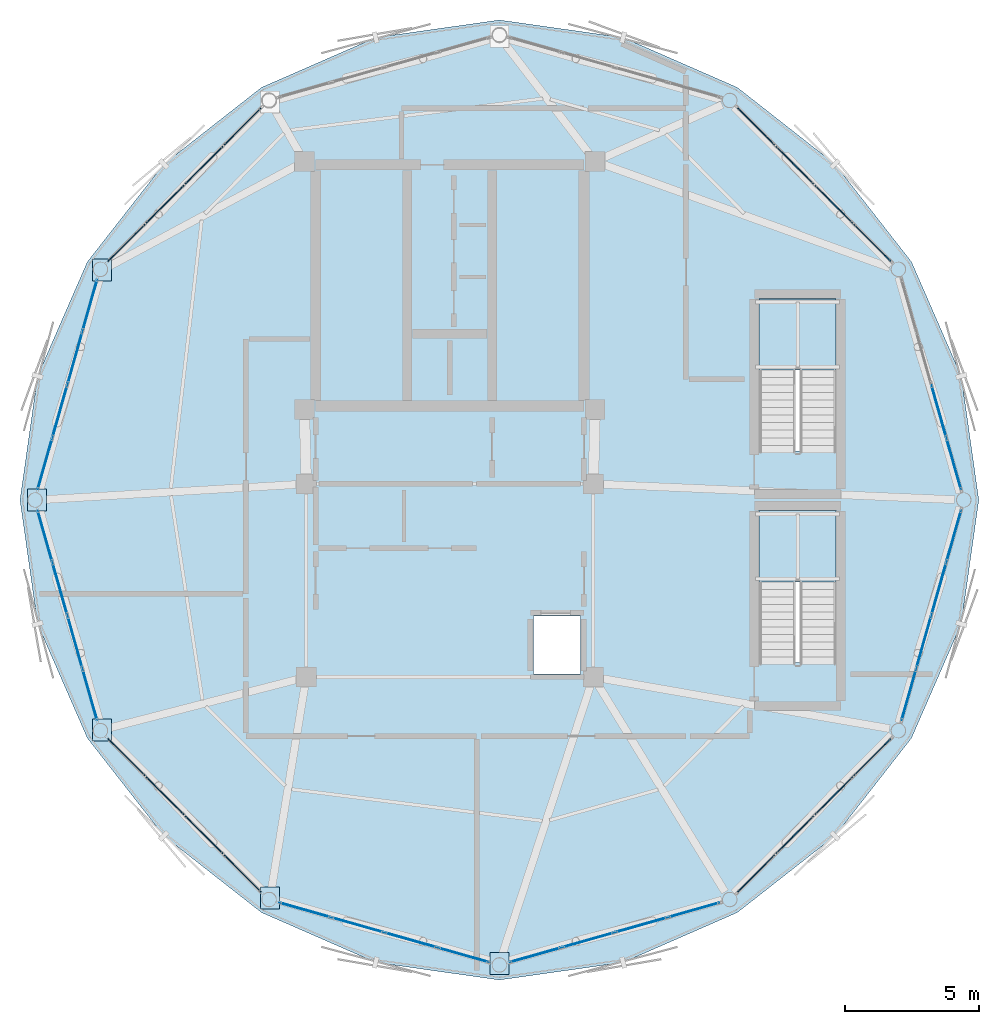
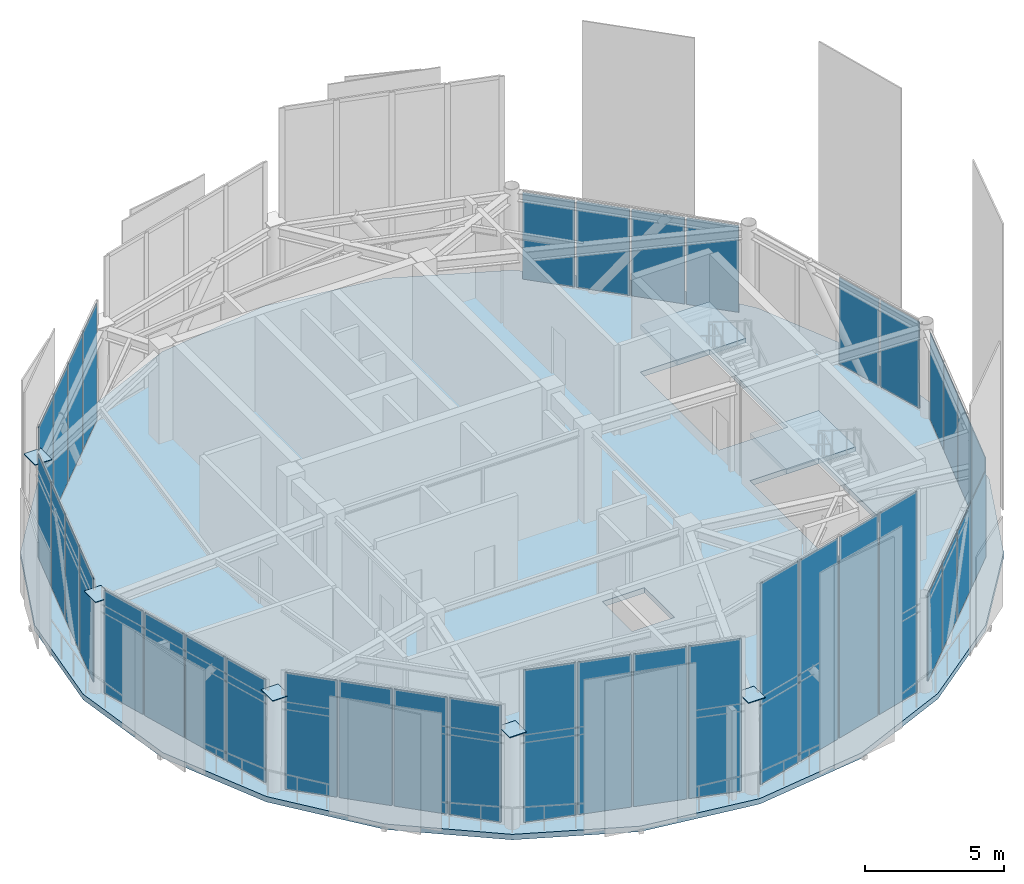
# One storey, part 14 of 20: 43 plates, 3 slabs, 12 elements without a shape of their own.
"""IFC4 building model written with IfcOpenShell, lengths in metres."""

from ifc_helpers import new_model, si_unit, direction, frame, origin, origin_2d, place, context, subcontext, project, spatial, polyline, rectangle, outline, extrude, source, transform, mapped, material, layer, layer_set, type_object, type_shapes, element, aggregate, save


model = new_model("IFC4")

# Units and contexts
model_context = context("Model", 3, precision=1e-05, world=origin(), true_north=direction((0.0, 1.0)))
body_context = subcontext(model_context, "Body", "Model", "MODEL_VIEW")
ifc_project = project(units=[si_unit("LENGTHUNIT", "METRE"), si_unit("AREAUNIT", "SQUARE_METRE"), si_unit("VOLUMEUNIT", "CUBIC_METRE"), si_unit("PLANEANGLEUNIT", "RADIAN"), si_unit("MASSUNIT", "GRAM", prefix="KILO")], contexts=[model_context])

# Site, building, storey
site_placement = place(None, origin())
site = spatial("IfcSite", under=ifc_project, at=site_placement, CompositionType="ELEMENT")
building_placement = place(site_placement, origin())
building = spatial("IfcBuilding", under=site, at=building_placement, Name="Varnakorn Sky Granary", CompositionType="ELEMENT")
storey_placement = place(building_placement, frame((0.0, 0.0, 310.800048828125)))
storey = spatial("IfcBuildingStorey", under=building, at=storey_placement, Name="L79", CompositionType="ELEMENT", Elevation=310.800048828125)

# Plates
ifc_material_1 = material(Name="Steel S460M", Category="steel")
ifc_layer_1 = layer(ifc_material_1, 0.031982421875, Name="Steel S460M")
ifc_layer_set_1 = layer_set([ifc_layer_1], Name="Steel S460M")
plate_type_1 = type_object("IfcPlateType", Name="PL-NODE-KN8", PredefinedType="SHEET", material=ifc_layer_set_1)
for number, where, z_axis, x_axis, name in (
    (1, (-9.9599609375, 8.568115234375, 4.1748046875), (0.0, 0.0, 1.0), (1.0, 0.0, 0.0), "Hollow Column Top Cap Plate KN8 L79-06"),
    (2, (-12.385986328125, 0.0, 4.1748046875), (0.0, 0.0, 1.0), (1.0, 0.0, 0.0), "Hollow Column Top Cap Plate KN8 L79-07"),
    (3, (-9.9599609375, -8.568115234375, 4.1748046875), (0.0, 0.0, 1.0), (1.0, 0.0, 0.0), "Hollow Column Top Cap Plate KN8 L79-08"),
    (4, (-3.700439453125, -14.840087890625, 4.1748046875), (0.0, 0.0, 1.0), (1.0, 0.0, 0.0), "Hollow Column Top Cap Plate KN8 L79-09"),
    (5, (4.85009765625, -17.27099609375, 4.1748046875), (0.0, 0.0, 1.0), (1.0, 0.0, 0.0), "Hollow Column Top Cap Plate KN8 L79-10"),
):
    element("IfcPlate", number, at=place(storey_placement, frame(where, z_axis=z_axis, x_axis=x_axis)), inside=storey, type_object=plate_type_1, Name=name, PredefinedType="SHEET", context=body_context, shape_type="SweptSolid", body=[
        extrude(rectangle(XDim=0.699951171875, YDim=0.820068359375, at=origin_2d()), origin(), (0.0, 0.0, 1.0), 0.031982421875),
    ])

# Stair, slab
ifc_material_2 = material(Name="Concrete C40/50", Category="concrete")
stair_type = type_object("IfcStairType", Name="ST-CRWN-ASSEMBLY", PredefinedType="HALF_TURN_STAIR", material=ifc_material_2)
stair_1_placement = place(storey_placement, origin())
stair_1 = element("IfcStair", 6, at=stair_1_placement, inside=storey, type_object=stair_type, Name="L79 Crown North Exit Stair ST-C1", PredefinedType="HALF_TURN_STAIR")
ifc_layer_2 = layer(ifc_material_2, 0.199951171875, Name="Concrete C40/50")
ifc_layer_set_2 = layer_set([ifc_layer_2], Name="Concrete C40/50")
slab_type_1 = type_object("IfcSlabType", Name="ST-CRWN-LAND", PredefinedType="LANDING", material=ifc_layer_set_2)
slab_1_placement = place(storey_placement, frame((0.0, 0.0, 1.89990234375)))
slab_1 = element("IfcSlab", 7, at=slab_1_placement, type_object=slab_type_1, Name="ST-C1 landing 1", PredefinedType="LANDING", context=body_context, shape_type="SweptSolid", body=[
    extrude(outline(polyline([(17.39990234375, 4.840087890625), (17.39990234375, 7.5), (14.530029296875, 7.5), (14.530029296875, 4.840087890625), (17.39990234375, 4.840087890625)])), origin(), (0.0, 0.0, 1.0), 0.199951171875),
])
aggregate(stair_1, [slab_1])

stair_2_placement = place(storey_placement, origin())
stair_2 = element("IfcStair", 8, at=stair_2_placement, inside=storey, type_object=stair_type, Name="L79 Crown South Exit Stair ST-C2", PredefinedType="HALF_TURN_STAIR")
slab_2_placement = place(storey_placement, frame((0.0, 0.0, 1.89990234375)))
slab_2 = element("IfcSlab", 9, at=slab_2_placement, type_object=slab_type_1, Name="ST-C2 landing 1", PredefinedType="LANDING", context=body_context, shape_type="SweptSolid", body=[
    extrude(outline(polyline([(17.39990234375, -3.06005859375), (17.39990234375, -0.39990234375), (14.530029296875, -0.39990234375), (14.530029296875, -3.06005859375), (17.39990234375, -3.06005859375)])), origin(), (0.0, 0.0, 1.0), 0.199951171875),
])
aggregate(stair_2, [slab_2])

# Slab
ifc_material_3 = material(Name="Concrete C50/60", Category="concrete")
ifc_layer_3 = layer(ifc_material_3, 0.239990234375, Name="Concrete C50/60")
ifc_layer_set_3 = layer_set([ifc_layer_3], Name="Concrete C50/60")
slab_type_2 = type_object("IfcSlabType", Name="ST-SL-TWR-240", PredefinedType="FLOOR", material=ifc_layer_set_3)
slab_3_placement = place(storey_placement, frame((0.0, 0.0, -0.239990234375)))
element("IfcSlab", 10, at=slab_3_placement, inside=storey, type_object=slab_type_2, Name="Level L79 Structural Floor Slab", PredefinedType="FLOOR", context=body_context, shape_type="SweptSolid", body=[
    extrude(outline(polyline([(22.720947265625, 0.0), (22.068603515625, 4.619384765625), (20.209716796875, 8.87890625), (17.359375, 12.52490234375), (13.718017578125, 15.37890625), (9.463623046875, 17.23974609375), (4.85009765625, 17.89306640625), (0.236328125, 17.23974609375), (-4.01806640625, 15.37890625), (-7.659423828125, 12.52490234375), (-10.509765625, 8.87890625), (-12.36865234375, 4.619384765625), (-13.02099609375, 0.0), (-12.36865234375, -4.619384765625), (-10.509765625, -8.87890625), (-7.659423828125, -12.52490234375), (-4.01806640625, -15.37890625), (0.236328125, -17.23974609375), (4.85009765625, -17.89306640625), (9.463623046875, -17.23974609375), (13.718017578125, -15.37890625), (17.359375, -12.52490234375), (20.209716796875, -8.87890625), (22.068603515625, -4.619384765625), (22.720947265625, 0.0)]), holes=[polyline([(17.39990234375, 1.8349609375), (17.39990234375, 7.5), (14.530029296875, 7.5), (14.530029296875, 1.8349609375), (17.39990234375, 1.8349609375)]), polyline([(17.39990234375, -6.06494140625), (17.39990234375, -0.39990234375), (14.530029296875, -0.39990234375), (14.530029296875, -6.06494140625), (17.39990234375, -6.06494140625)]), polyline([(6.1201171875, -6.47998046875), (7.8798828125, -6.47998046875), (7.8798828125, -4.320068359375), (6.1201171875, -4.320068359375), (6.1201171875, -6.47998046875)])]), origin(), (0.0, 0.0, 1.0), 0.239990234375),
])

# Curtain wall, plate
ifc_material_4 = material(Name="Anodised Bronze Aluminium Alloy 6063-T6", Category="aluminium")
ifc_layer_4 = layer(ifc_material_4, 0.22998046875, Name="Anodised Bronze Aluminium Alloy 6063-T6")
ifc_layer_set_4 = layer_set([ifc_layer_4], Name="Anodised Bronze Aluminium Alloy 6063-T6")
curtain_wall_type = type_object("IfcCurtainWallType", Name="CW-LNT-1", PredefinedType="USERDEFINED", material=ifc_layer_set_4)
curtain_wall_1_placement = place(storey_placement, origin())
curtain_wall_1 = element("IfcCurtainWall", 11, at=curtain_wall_1_placement, inside=storey, type_object=curtain_wall_type, Name="Unitised Curtain Wall CW7 CW-L79-B01", ObjectType="CURTAIN WALL", PredefinedType="USERDEFINED")
ifc_material_5 = material(Name="Opaque Insulated Aluminium Shadow-Box Unit", Category="aluminium")
ifc_layer_5 = layer(ifc_material_5, 0.035888671875, Name="Opaque Insulated Aluminium Shadow-Box Unit")
ifc_layer_set_5 = layer_set([ifc_layer_5], Name="Opaque Insulated Aluminium Shadow-Box Unit")
plate_type_2 = type_object("IfcPlateType", Name="CW-LNT-1-PNL", PredefinedType="CURTAIN_PANEL")
shared_shape_1 = source(origin(), body_context, "Body", "SweptSolid", [
    extrude(rectangle(XDim=1.990966796875, YDim=0.035888671875, at=origin_2d()), origin(), (0.0, 0.0, 1.0), 3.81005859375),
])
plate_1_placement = place(storey_placement, frame((21.23388671875, 3.30810546875, 0.074951171875), z_axis=(0.0, 0.0, 1.0), x_axis=(0.272577181537, -0.962133920047, 0.0)))
plate_1 = element("IfcPlate", 12, at=plate_1_placement, type_object=plate_type_2, material=ifc_layer_set_5, Name="CW7 opaque insulated shadow-box unit 3.1", PredefinedType="CURTAIN_PANEL", context=body_context, shape_type="MappedRepresentation", body=[
    mapped(shared_shape_1, transform((0.0, 0.0, 0.0), x_axis=(1.0, 0.0, 0.0), y_axis=(0.0, 1.0, 0.0), z_axis=(0.0, 0.0, 1.0), scale=1.0)),
])

# Curtain wall, plates
curtain_wall_2_placement = place(storey_placement, origin())
curtain_wall_2 = element("IfcCurtainWall", 13, at=curtain_wall_2_placement, inside=storey, type_object=curtain_wall_type, Name="Unitised Curtain Wall CW7 CW-L79-B12", ObjectType="CURTAIN WALL", PredefinedType="USERDEFINED")
plate_2_placement = place(storey_placement, frame((21.23388671875, -3.30810546875, 0.074951171875), z_axis=(0.0, 0.0, 1.0), x_axis=(-0.272577181537, -0.962133920047, 0.0)))
plate_2 = element("IfcPlate", 14, at=plate_2_placement, type_object=plate_type_2, material=ifc_layer_set_5, Name="CW7 opaque insulated shadow-box unit 2.1", PredefinedType="CURTAIN_PANEL", context=body_context, shape_type="MappedRepresentation", body=[
    mapped(shared_shape_1, transform((0.0, 0.0, 0.0), x_axis=(1.0, 0.0, 0.0), y_axis=(0.0, 1.0, 0.0), z_axis=(0.0, 0.0, 1.0), scale=1.0)),
])
plate_3_placement = place(storey_placement, frame((20.670654296875, -5.2958984375, 0.074951171875), z_axis=(0.0, 0.0, 1.0), x_axis=(-0.272577181537, -0.962133920047, 0.0)))
plate_3 = element("IfcPlate", 15, at=plate_3_placement, type_object=plate_type_2, material=ifc_layer_set_5, Name="CW7 opaque insulated shadow-box unit 3.1", PredefinedType="CURTAIN_PANEL", context=body_context, shape_type="MappedRepresentation", body=[
    mapped(shared_shape_1, transform((0.0, 0.0, 0.0), x_axis=(1.0, 0.0, 0.0), y_axis=(0.0, 1.0, 0.0), z_axis=(0.0, 0.0, 1.0), scale=1.0)),
])

# Plate
ifc_material_6 = material(Name="Low-E Tinted Laminated Glass", Category="glass")
ifc_layer_6 = layer(ifc_material_6, 0.035888671875, Name="Low-E Tinted Laminated Glass")
ifc_layer_set_6 = layer_set([ifc_layer_6], Name="Low-E Tinted Laminated Glass")
shared_shape_2 = source(origin(), body_context, "Body", "SweptSolid", [
    extrude(rectangle(XDim=1.953369140625, YDim=0.035888671875, at=origin_2d()), origin(), (0.0, 0.0, 1.0), 3.81005859375),
])
plate_4_placement = place(storey_placement, frame((21.791748046875, 1.33837890625, 0.074951171875), z_axis=(0.0, 0.0, 1.0), x_axis=(0.272577181537, -0.962133920047, 0.0)))
plate_4 = element("IfcPlate", 16, at=plate_4_placement, type_object=plate_type_2, material=ifc_layer_set_6, Name="CW7 vision glazing unit 4.1", PredefinedType="CURTAIN_PANEL", context=body_context, shape_type="MappedRepresentation", body=[
    mapped(shared_shape_2, transform((0.0, 0.0, 0.0), x_axis=(1.0, 0.0, 0.0), y_axis=(0.0, 1.0, 0.0), z_axis=(0.0, 0.0, 1.0), scale=1.0)),
])

aggregate(curtain_wall_1, [plate_1, plate_4])

plate_5_placement = place(storey_placement, frame((21.791748046875, -1.33837890625, 0.074951171875), z_axis=(0.0, 0.0, 1.0), x_axis=(-0.272577181537, -0.962133920047, 0.0)))
plate_5 = element("IfcPlate", 17, at=plate_5_placement, type_object=plate_type_2, material=ifc_layer_set_6, Name="CW7 vision glazing unit 1.1", PredefinedType="CURTAIN_PANEL", context=body_context, shape_type="MappedRepresentation", body=[
    mapped(shared_shape_2, transform((0.0, 0.0, 0.0), x_axis=(1.0, 0.0, 0.0), y_axis=(0.0, 1.0, 0.0), z_axis=(0.0, 0.0, 1.0), scale=1.0)),
])

plate_6_placement = place(storey_placement, frame((20.11279296875, -7.265625, 0.074951171875), z_axis=(0.0, 0.0, 1.0), x_axis=(-0.272577181537, -0.962133920047, 0.0)))
plate_6 = element("IfcPlate", 18, at=plate_6_placement, type_object=plate_type_2, material=ifc_layer_set_6, Name="CW7 vision glazing unit 4.1", PredefinedType="CURTAIN_PANEL", context=body_context, shape_type="MappedRepresentation", body=[
    mapped(shared_shape_2, transform((0.0, 0.0, 0.0), x_axis=(1.0, 0.0, 0.0), y_axis=(0.0, 1.0, 0.0), z_axis=(0.0, 0.0, 1.0), scale=1.0)),
])

aggregate(curtain_wall_2, [plate_5, plate_2, plate_3, plate_6])

# Curtain wall, plates
curtain_wall_3_placement = place(storey_placement, origin())
curtain_wall_3 = element("IfcCurtainWall", 19, at=curtain_wall_3_placement, inside=storey, type_object=curtain_wall_type, Name="Unitised Curtain Wall CW7 CW-L79-B02", ObjectType="CURTAIN WALL", PredefinedType="USERDEFINED")
shared_shape_3 = source(origin(), body_context, "Body", "SweptSolid", [
    extrude(rectangle(XDim=1.943115234375, YDim=0.035888671875, at=origin_2d()), origin(), (0.0, 0.0, 1.0), 3.81005859375),
])
plate_7_placement = place(storey_placement, frame((14.422607421875, 13.921875, 0.074951171875), z_axis=(0.0, 0.0, 1.0), x_axis=(0.706650589291, -0.707562678959, 0.0)))
plate_7 = element("IfcPlate", 20, at=plate_7_placement, type_object=plate_type_2, material=ifc_layer_set_6, Name="CW7 vision glazing unit 1.1", PredefinedType="CURTAIN_PANEL", context=body_context, shape_type="MappedRepresentation", body=[
    mapped(shared_shape_3, transform((0.0, 0.0, 0.0), x_axis=(1.0, 0.0, 0.0), y_axis=(0.0, 1.0, 0.0), z_axis=(0.0, 0.0, 1.0), scale=1.0)),
])
plate_8_placement = place(storey_placement, frame((18.75390625, 9.584716796875, 0.074951171875), z_axis=(0.0, 0.0, 1.0), x_axis=(0.706650589291, -0.707562678959, 0.0)))
plate_8 = element("IfcPlate", 21, at=plate_8_placement, type_object=plate_type_2, material=ifc_layer_set_6, Name="CW7 vision glazing unit 4.1", PredefinedType="CURTAIN_PANEL", context=body_context, shape_type="MappedRepresentation", body=[
    mapped(shared_shape_3, transform((0.0, 0.0, 0.0), x_axis=(1.0, 0.0, 0.0), y_axis=(0.0, 1.0, 0.0), z_axis=(0.0, 0.0, 1.0), scale=1.0)),
])

curtain_wall_4_placement = place(storey_placement, origin())
curtain_wall_4 = element("IfcCurtainWall", 22, at=curtain_wall_4_placement, inside=storey, type_object=curtain_wall_type, Name="Unitised Curtain Wall CW7 CW-L79-B11", ObjectType="CURTAIN WALL", PredefinedType="USERDEFINED")
plate_9_placement = place(storey_placement, frame((18.75390625, -9.584716796875, 0.074951171875), z_axis=(0.0, 0.0, 1.0), x_axis=(-0.706650589291, -0.707562678959, 0.0)))
plate_9 = element("IfcPlate", 23, at=plate_9_placement, type_object=plate_type_2, material=ifc_layer_set_6, Name="CW7 vision glazing unit 1.1", PredefinedType="CURTAIN_PANEL", context=body_context, shape_type="MappedRepresentation", body=[
    mapped(shared_shape_3, transform((0.0, 0.0, 0.0), x_axis=(1.0, 0.0, 0.0), y_axis=(0.0, 1.0, 0.0), z_axis=(0.0, 0.0, 1.0), scale=1.0)),
])
plate_10_placement = place(storey_placement, frame((14.422607421875, -13.921875, 0.074951171875), z_axis=(0.0, 0.0, 1.0), x_axis=(-0.706650589291, -0.707562678959, 0.0)))
plate_10 = element("IfcPlate", 24, at=plate_10_placement, type_object=plate_type_2, material=ifc_layer_set_6, Name="CW7 vision glazing unit 4.1", PredefinedType="CURTAIN_PANEL", context=body_context, shape_type="MappedRepresentation", body=[
    mapped(shared_shape_3, transform((0.0, 0.0, 0.0), x_axis=(1.0, 0.0, 0.0), y_axis=(0.0, 1.0, 0.0), z_axis=(0.0, 0.0, 1.0), scale=1.0)),
])

# Plate
shared_shape_4 = source(origin(), body_context, "Body", "SweptSolid", [
    extrude(rectangle(XDim=1.980712890625, YDim=0.035888671875, at=origin_2d()), origin(), (0.0, 0.0, 1.0), 3.81005859375),
])
plate_11_placement = place(storey_placement, frame((15.86181640625, 12.48046875, 0.074951171875), z_axis=(0.0, 0.0, 1.0), x_axis=(0.706650589291, -0.707562678959, 0.0)))
plate_11 = element("IfcPlate", 25, at=plate_11_placement, type_object=plate_type_2, material=ifc_layer_set_5, Name="CW7 opaque insulated shadow-box unit 2.1", PredefinedType="CURTAIN_PANEL", context=body_context, shape_type="MappedRepresentation", body=[
    mapped(shared_shape_4, transform((0.0, 0.0, 0.0), x_axis=(1.0, 0.0, 0.0), y_axis=(0.0, 1.0, 0.0), z_axis=(0.0, 0.0, 1.0), scale=1.0)),
])

plate_12_placement = place(storey_placement, frame((17.314697265625, 11.026123046875, 0.074951171875), z_axis=(0.0, 0.0, 1.0), x_axis=(0.706650589291, -0.707562678959, 0.0)))
plate_12 = element("IfcPlate", 26, at=plate_12_placement, type_object=plate_type_2, material=ifc_layer_set_5, Name="CW7 opaque insulated shadow-box unit 3.1", PredefinedType="CURTAIN_PANEL", context=body_context, shape_type="MappedRepresentation", body=[
    mapped(shared_shape_4, transform((0.0, 0.0, 0.0), x_axis=(1.0, 0.0, 0.0), y_axis=(0.0, 1.0, 0.0), z_axis=(0.0, 0.0, 1.0), scale=1.0)),
])

aggregate(curtain_wall_3, [plate_7, plate_11, plate_12, plate_8])

plate_13_placement = place(storey_placement, frame((17.314697265625, -11.026123046875, 0.074951171875), z_axis=(0.0, 0.0, 1.0), x_axis=(-0.706650589291, -0.707562678959, 0.0)))
plate_13 = element("IfcPlate", 27, at=plate_13_placement, type_object=plate_type_2, material=ifc_layer_set_5, Name="CW7 opaque insulated shadow-box unit 2.1", PredefinedType="CURTAIN_PANEL", context=body_context, shape_type="MappedRepresentation", body=[
    mapped(shared_shape_4, transform((0.0, 0.0, 0.0), x_axis=(1.0, 0.0, 0.0), y_axis=(0.0, 1.0, 0.0), z_axis=(0.0, 0.0, 1.0), scale=1.0)),
])

plate_14_placement = place(storey_placement, frame((15.86181640625, -12.48046875, 0.074951171875), z_axis=(0.0, 0.0, 1.0), x_axis=(-0.706650589291, -0.707562678959, 0.0)))
plate_14 = element("IfcPlate", 28, at=plate_14_placement, type_object=plate_type_2, material=ifc_layer_set_5, Name="CW7 opaque insulated shadow-box unit 3.1", PredefinedType="CURTAIN_PANEL", context=body_context, shape_type="MappedRepresentation", body=[
    mapped(shared_shape_4, transform((0.0, 0.0, 0.0), x_axis=(1.0, 0.0, 0.0), y_axis=(0.0, 1.0, 0.0), z_axis=(0.0, 0.0, 1.0), scale=1.0)),
])

aggregate(curtain_wall_4, [plate_9, plate_13, plate_14, plate_10])

# Curtain wall, plates
curtain_wall_5_placement = place(storey_placement, origin())
curtain_wall_5 = element("IfcCurtainWall", 29, at=curtain_wall_5_placement, inside=storey, type_object=curtain_wall_type, Name="Unitised Curtain Wall CW7 CW-L79-B10", ObjectType="CURTAIN WALL", PredefinedType="USERDEFINED")
shared_shape_5 = source(origin(), body_context, "Body", "SweptSolid", [
    extrude(rectangle(XDim=1.950927734375, YDim=0.035888671875, at=origin_2d()), origin(), (0.0, 0.0, 1.0), 8.85693359375),
])
plate_15_placement = place(storey_placement, frame((12.10595703125, -15.2822265625, 0.074951171875), z_axis=(0.0, 0.0, 1.0), x_axis=(-0.961955260491, -0.273207021896, 0.0)))
plate_15 = element("IfcPlate", 30, at=plate_15_placement, type_object=plate_type_2, material=ifc_layer_set_6, Name="CW7 vision glazing unit 1.1", PredefinedType="CURTAIN_PANEL", context=body_context, shape_type="MappedRepresentation", body=[
    mapped(shared_shape_5, transform((0.0, 0.0, 0.0), x_axis=(1.0, 0.0, 0.0), y_axis=(0.0, 1.0, 0.0), z_axis=(0.0, 0.0, 1.0), scale=1.0)),
])
plate_16_placement = place(storey_placement, frame((6.18701171875, -16.96337890625, 0.074951171875), z_axis=(0.0, 0.0, 1.0), x_axis=(-0.961955260491, -0.273207021896, 0.0)))
plate_16 = element("IfcPlate", 31, at=plate_16_placement, type_object=plate_type_2, material=ifc_layer_set_5, Name="CW7 opaque insulated shadow-box unit 4.1", PredefinedType="CURTAIN_PANEL", context=body_context, shape_type="MappedRepresentation", body=[
    mapped(shared_shape_5, transform((0.0, 0.0, 0.0), x_axis=(1.0, 0.0, 0.0), y_axis=(0.0, 1.0, 0.0), z_axis=(0.0, 0.0, 1.0), scale=1.0)),
])
shared_shape_6 = source(origin(), body_context, "Body", "SweptSolid", [
    extrude(rectangle(XDim=1.988525390625, YDim=0.035888671875, at=origin_2d()), origin(), (0.0, 0.0, 1.0), 8.85693359375),
])
plate_17_placement = place(storey_placement, frame((10.138916015625, -15.8408203125, 0.074951171875), z_axis=(0.0, 0.0, 1.0), x_axis=(-0.961955260491, -0.273207021896, 0.0)))
plate_17 = element("IfcPlate", 32, at=plate_17_placement, type_object=plate_type_2, material=ifc_layer_set_5, Name="CW7 opaque insulated shadow-box unit 2.1", PredefinedType="CURTAIN_PANEL", context=body_context, shape_type="MappedRepresentation", body=[
    mapped(shared_shape_6, transform((0.0, 0.0, 0.0), x_axis=(1.0, 0.0, 0.0), y_axis=(0.0, 1.0, 0.0), z_axis=(0.0, 0.0, 1.0), scale=1.0)),
])
plate_18_placement = place(storey_placement, frame((8.154052734375, -16.40478515625, 0.074951171875), z_axis=(0.0, 0.0, 1.0), x_axis=(-0.961955260491, -0.273207021896, 0.0)))
plate_18 = element("IfcPlate", 33, at=plate_18_placement, type_object=plate_type_2, material=ifc_layer_set_5, Name="CW7 opaque insulated shadow-box unit 3.1", PredefinedType="CURTAIN_PANEL", context=body_context, shape_type="MappedRepresentation", body=[
    mapped(shared_shape_6, transform((0.0, 0.0, 0.0), x_axis=(1.0, 0.0, 0.0), y_axis=(0.0, 1.0, 0.0), z_axis=(0.0, 0.0, 1.0), scale=1.0)),
])
aggregate(curtain_wall_5, [plate_15, plate_17, plate_18, plate_16])

curtain_wall_6_placement = place(storey_placement, origin())
curtain_wall_6 = element("IfcCurtainWall", 34, at=curtain_wall_6_placement, inside=storey, type_object=curtain_wall_type, Name="Unitised Curtain Wall CW7 CW-L79-B09", ObjectType="CURTAIN WALL", PredefinedType="USERDEFINED")
shared_shape_7 = source(origin(), body_context, "Body", "SweptSolid", [
    extrude(rectangle(XDim=1.950927734375, YDim=0.035888671875, at=origin_2d()), origin(), (0.0, 0.0, 1.0), 6.71435546875),
])
plate_19_placement = place(storey_placement, frame((3.512939453125, -16.96337890625, 0.074951171875), z_axis=(0.0, 0.0, 1.0), x_axis=(-0.961955260491, 0.273207021896, 0.0)))
plate_19 = element("IfcPlate", 35, at=plate_19_placement, type_object=plate_type_2, material=ifc_layer_set_5, Name="CW7 opaque insulated shadow-box unit 1.1", PredefinedType="CURTAIN_PANEL", context=body_context, shape_type="MappedRepresentation", body=[
    mapped(shared_shape_7, transform((0.0, 0.0, 0.0), x_axis=(1.0, 0.0, 0.0), y_axis=(0.0, 1.0, 0.0), z_axis=(0.0, 0.0, 1.0), scale=1.0)),
])
plate_20_placement = place(storey_placement, frame((-2.406005859375, -15.2822265625, 0.074951171875), z_axis=(0.0, 0.0, 1.0), x_axis=(-0.961955260491, 0.273207021896, 0.0)))
plate_20 = element("IfcPlate", 36, at=plate_20_placement, type_object=plate_type_2, material=ifc_layer_set_6, Name="CW7 vision glazing unit 4.1", PredefinedType="CURTAIN_PANEL", context=body_context, shape_type="MappedRepresentation", body=[
    mapped(shared_shape_7, transform((0.0, 0.0, 0.0), x_axis=(1.0, 0.0, 0.0), y_axis=(0.0, 1.0, 0.0), z_axis=(0.0, 0.0, 1.0), scale=1.0)),
])
shared_shape_8 = source(origin(), body_context, "Body", "SweptSolid", [
    extrude(rectangle(XDim=1.988525390625, YDim=0.035888671875, at=origin_2d()), origin(), (0.0, 0.0, 1.0), 6.71435546875),
])
plate_21_placement = place(storey_placement, frame((1.5458984375, -16.40478515625, 0.074951171875), z_axis=(0.0, 0.0, 1.0), x_axis=(-0.961955260491, 0.273207021896, 0.0)))
plate_21 = element("IfcPlate", 37, at=plate_21_placement, type_object=plate_type_2, material=ifc_layer_set_5, Name="CW7 opaque insulated shadow-box unit 2.1", PredefinedType="CURTAIN_PANEL", context=body_context, shape_type="MappedRepresentation", body=[
    mapped(shared_shape_8, transform((0.0, 0.0, 0.0), x_axis=(1.0, 0.0, 0.0), y_axis=(0.0, 1.0, 0.0), z_axis=(0.0, 0.0, 1.0), scale=1.0)),
])
plate_22_placement = place(storey_placement, frame((-0.43896484375, -15.8408203125, 0.074951171875), z_axis=(0.0, 0.0, 1.0), x_axis=(-0.961955260491, 0.273207021896, 0.0)))
plate_22 = element("IfcPlate", 38, at=plate_22_placement, type_object=plate_type_2, material=ifc_layer_set_5, Name="CW7 opaque insulated shadow-box unit 3.1", PredefinedType="CURTAIN_PANEL", context=body_context, shape_type="MappedRepresentation", body=[
    mapped(shared_shape_8, transform((0.0, 0.0, 0.0), x_axis=(1.0, 0.0, 0.0), y_axis=(0.0, 1.0, 0.0), z_axis=(0.0, 0.0, 1.0), scale=1.0)),
])
aggregate(curtain_wall_6, [plate_19, plate_21, plate_22, plate_20])

curtain_wall_7_placement = place(storey_placement, origin())
curtain_wall_7 = element("IfcCurtainWall", 39, at=curtain_wall_7_placement, inside=storey, type_object=curtain_wall_type, Name="Unitised Curtain Wall CW7 CW-L79-B05", ObjectType="CURTAIN WALL", PredefinedType="USERDEFINED")
shared_shape_9 = source(origin(), body_context, "Body", "SweptSolid", [
    extrude(rectangle(XDim=1.943115234375, YDim=0.035888671875, at=origin_2d()), origin(), (0.0, 0.0, 1.0), 5.14599609375),
])
plate_23_placement = place(storey_placement, frame((-9.053955078125, 9.584716796875, 0.074951171875), z_axis=(0.0, 0.0, 1.0), x_axis=(0.706650589291, 0.707562678959, 0.0)))
plate_23 = element("IfcPlate", 40, at=plate_23_placement, type_object=plate_type_2, material=ifc_layer_set_5, Name="CW7 opaque insulated shadow-box unit 1.1", PredefinedType="CURTAIN_PANEL", context=body_context, shape_type="MappedRepresentation", body=[
    mapped(shared_shape_9, transform((0.0, 0.0, 0.0), x_axis=(1.0, 0.0, 0.0), y_axis=(0.0, 1.0, 0.0), z_axis=(0.0, 0.0, 1.0), scale=1.0)),
])
plate_24_placement = place(storey_placement, frame((-4.722412109375, 13.921875, 0.074951171875), z_axis=(0.0, 0.0, 1.0), x_axis=(0.706650589291, 0.707562678959, 0.0)))
plate_24 = element("IfcPlate", 41, at=plate_24_placement, type_object=plate_type_2, material=ifc_layer_set_6, Name="CW7 vision glazing unit 4.1", PredefinedType="CURTAIN_PANEL", context=body_context, shape_type="MappedRepresentation", body=[
    mapped(shared_shape_9, transform((0.0, 0.0, 0.0), x_axis=(1.0, 0.0, 0.0), y_axis=(0.0, 1.0, 0.0), z_axis=(0.0, 0.0, 1.0), scale=1.0)),
])

curtain_wall_8_placement = place(storey_placement, origin())
curtain_wall_8 = element("IfcCurtainWall", 42, at=curtain_wall_8_placement, inside=storey, type_object=curtain_wall_type, Name="Unitised Curtain Wall CW7 CW-L79-B08", ObjectType="CURTAIN WALL", PredefinedType="USERDEFINED")
plate_25_placement = place(storey_placement, frame((-4.722412109375, -13.921875, 0.074951171875), z_axis=(0.0, 0.0, 1.0), x_axis=(-0.706650589291, 0.707562678959, 0.0)))
plate_25 = element("IfcPlate", 43, at=plate_25_placement, type_object=plate_type_2, material=ifc_layer_set_6, Name="CW7 vision glazing unit 1.1", PredefinedType="CURTAIN_PANEL", context=body_context, shape_type="MappedRepresentation", body=[
    mapped(shared_shape_9, transform((0.0, 0.0, 0.0), x_axis=(1.0, 0.0, 0.0), y_axis=(0.0, 1.0, 0.0), z_axis=(0.0, 0.0, 1.0), scale=1.0)),
])
plate_26_placement = place(storey_placement, frame((-9.053955078125, -9.584716796875, 0.074951171875), z_axis=(0.0, 0.0, 1.0), x_axis=(-0.706650589291, 0.707562678959, 0.0)))
plate_26 = element("IfcPlate", 44, at=plate_26_placement, type_object=plate_type_2, material=ifc_layer_set_5, Name="CW7 opaque insulated shadow-box unit 4.1", PredefinedType="CURTAIN_PANEL", context=body_context, shape_type="MappedRepresentation", body=[
    mapped(shared_shape_9, transform((0.0, 0.0, 0.0), x_axis=(1.0, 0.0, 0.0), y_axis=(0.0, 1.0, 0.0), z_axis=(0.0, 0.0, 1.0), scale=1.0)),
])

# Plate
shared_shape_10 = source(origin(), body_context, "Body", "SweptSolid", [
    extrude(rectangle(XDim=1.980712890625, YDim=0.035888671875, at=origin_2d()), origin(), (0.0, 0.0, 1.0), 5.14599609375),
])
plate_27_placement = place(storey_placement, frame((-7.614501953125, 11.026123046875, 0.074951171875), z_axis=(0.0, 0.0, 1.0), x_axis=(0.706650589291, 0.707562678959, 0.0)))
plate_27 = element("IfcPlate", 45, at=plate_27_placement, type_object=plate_type_2, material=ifc_layer_set_5, Name="CW7 opaque insulated shadow-box unit 2.1", PredefinedType="CURTAIN_PANEL", context=body_context, shape_type="MappedRepresentation", body=[
    mapped(shared_shape_10, transform((0.0, 0.0, 0.0), x_axis=(1.0, 0.0, 0.0), y_axis=(0.0, 1.0, 0.0), z_axis=(0.0, 0.0, 1.0), scale=1.0)),
])

plate_28_placement = place(storey_placement, frame((-6.161865234375, 12.48046875, 0.074951171875), z_axis=(0.0, 0.0, 1.0), x_axis=(0.706650589291, 0.707562678959, 0.0)))
plate_28 = element("IfcPlate", 46, at=plate_28_placement, type_object=plate_type_2, material=ifc_layer_set_5, Name="CW7 opaque insulated shadow-box unit 3.1", PredefinedType="CURTAIN_PANEL", context=body_context, shape_type="MappedRepresentation", body=[
    mapped(shared_shape_10, transform((0.0, 0.0, 0.0), x_axis=(1.0, 0.0, 0.0), y_axis=(0.0, 1.0, 0.0), z_axis=(0.0, 0.0, 1.0), scale=1.0)),
])

aggregate(curtain_wall_7, [plate_23, plate_27, plate_28, plate_24])

plate_29_placement = place(storey_placement, frame((-6.161865234375, -12.48046875, 0.074951171875), z_axis=(0.0, 0.0, 1.0), x_axis=(-0.706650589291, 0.707562678959, 0.0)))
plate_29 = element("IfcPlate", 47, at=plate_29_placement, type_object=plate_type_2, material=ifc_layer_set_5, Name="CW7 opaque insulated shadow-box unit 2.1", PredefinedType="CURTAIN_PANEL", context=body_context, shape_type="MappedRepresentation", body=[
    mapped(shared_shape_10, transform((0.0, 0.0, 0.0), x_axis=(1.0, 0.0, 0.0), y_axis=(0.0, 1.0, 0.0), z_axis=(0.0, 0.0, 1.0), scale=1.0)),
])

plate_30_placement = place(storey_placement, frame((-7.614501953125, -11.026123046875, 0.074951171875), z_axis=(0.0, 0.0, 1.0), x_axis=(-0.706650589291, 0.707562678959, 0.0)))
plate_30 = element("IfcPlate", 48, at=plate_30_placement, type_object=plate_type_2, material=ifc_layer_set_5, Name="CW7 opaque insulated shadow-box unit 3.1", PredefinedType="CURTAIN_PANEL", context=body_context, shape_type="MappedRepresentation", body=[
    mapped(shared_shape_10, transform((0.0, 0.0, 0.0), x_axis=(1.0, 0.0, 0.0), y_axis=(0.0, 1.0, 0.0), z_axis=(0.0, 0.0, 1.0), scale=1.0)),
])

aggregate(curtain_wall_8, [plate_25, plate_29, plate_30, plate_26])

# Curtain wall, plates
curtain_wall_9_placement = place(storey_placement, origin())
curtain_wall_9 = element("IfcCurtainWall", 49, at=curtain_wall_9_placement, inside=storey, type_object=curtain_wall_type, Name="Unitised Curtain Wall CW7 CW-L79-B06", ObjectType="CURTAIN WALL", PredefinedType="USERDEFINED")
shared_shape_11 = source(origin(), body_context, "Body", "SweptSolid", [
    extrude(rectangle(XDim=1.953369140625, YDim=0.035888671875, at=origin_2d()), origin(), (0.0, 0.0, 1.0), 4.538330078125),
])
plate_31_placement = place(storey_placement, frame((-12.091796875, 1.33837890625, 0.07470703125), z_axis=(0.0, 0.0, 1.0), x_axis=(0.272577181537, 0.962133920047, 0.0)))
plate_31 = element("IfcPlate", 50, at=plate_31_placement, type_object=plate_type_2, material=ifc_layer_set_6, Name="CW7 vision glazing unit 1.1", PredefinedType="CURTAIN_PANEL", context=body_context, shape_type="MappedRepresentation", body=[
    mapped(shared_shape_11, transform((0.0, 0.0, 0.0), x_axis=(1.0, 0.0, 0.0), y_axis=(0.0, 1.0, 0.0), z_axis=(0.0, 0.0, 1.0), scale=1.0)),
])
plate_32_placement = place(storey_placement, frame((-10.41259765625, 7.265625, 0.07470703125), z_axis=(0.0, 0.0, 1.0), x_axis=(0.272577181537, 0.962133920047, 0.0)))
plate_32 = element("IfcPlate", 51, at=plate_32_placement, type_object=plate_type_2, material=ifc_layer_set_5, Name="CW7 opaque insulated shadow-box unit 4.1", PredefinedType="CURTAIN_PANEL", context=body_context, shape_type="MappedRepresentation", body=[
    mapped(shared_shape_11, transform((0.0, 0.0, 0.0), x_axis=(1.0, 0.0, 0.0), y_axis=(0.0, 1.0, 0.0), z_axis=(0.0, 0.0, 1.0), scale=1.0)),
])

curtain_wall_10_placement = place(storey_placement, origin())
curtain_wall_10 = element("IfcCurtainWall", 52, at=curtain_wall_10_placement, inside=storey, type_object=curtain_wall_type, Name="Unitised Curtain Wall CW7 CW-L79-B07", ObjectType="CURTAIN WALL", PredefinedType="USERDEFINED")
plate_33_placement = place(storey_placement, frame((-10.41259765625, -7.265625, 0.07470703125), z_axis=(0.0, 0.0, 1.0), x_axis=(-0.272577181537, 0.962133920047, 0.0)))
plate_33 = element("IfcPlate", 53, at=plate_33_placement, type_object=plate_type_2, material=ifc_layer_set_5, Name="CW7 opaque insulated shadow-box unit 1.1", PredefinedType="CURTAIN_PANEL", context=body_context, shape_type="MappedRepresentation", body=[
    mapped(shared_shape_11, transform((0.0, 0.0, 0.0), x_axis=(1.0, 0.0, 0.0), y_axis=(0.0, 1.0, 0.0), z_axis=(0.0, 0.0, 1.0), scale=1.0)),
])
plate_34_placement = place(storey_placement, frame((-12.091796875, -1.33837890625, 0.07470703125), z_axis=(0.0, 0.0, 1.0), x_axis=(-0.272577181537, 0.962133920047, 0.0)))
plate_34 = element("IfcPlate", 54, at=plate_34_placement, type_object=plate_type_2, material=ifc_layer_set_6, Name="CW7 vision glazing unit 4.1", PredefinedType="CURTAIN_PANEL", context=body_context, shape_type="MappedRepresentation", body=[
    mapped(shared_shape_11, transform((0.0, 0.0, 0.0), x_axis=(1.0, 0.0, 0.0), y_axis=(0.0, 1.0, 0.0), z_axis=(0.0, 0.0, 1.0), scale=1.0)),
])

# Plate
shared_shape_12 = source(origin(), body_context, "Body", "SweptSolid", [
    extrude(rectangle(XDim=1.990966796875, YDim=0.035888671875, at=origin_2d()), origin(), (0.0, 0.0, 1.0), 4.538330078125),
])
type_shapes(plate_type_2, [shared_shape_1, shared_shape_2, shared_shape_3, shared_shape_4, shared_shape_5, shared_shape_6, shared_shape_7, shared_shape_8, shared_shape_9, shared_shape_10, shared_shape_11, shared_shape_12])
plate_35_placement = place(storey_placement, frame((-11.53369140625, 3.30810546875, 0.07470703125), z_axis=(0.0, 0.0, 1.0), x_axis=(0.272577181537, 0.962133920047, 0.0)))
plate_35 = element("IfcPlate", 55, at=plate_35_placement, type_object=plate_type_2, material=ifc_layer_set_5, Name="CW7 opaque insulated shadow-box unit 2.1", PredefinedType="CURTAIN_PANEL", context=body_context, shape_type="MappedRepresentation", body=[
    mapped(shared_shape_12, transform((0.0, 0.0, 0.0), x_axis=(1.0, 0.0, 0.0), y_axis=(0.0, 1.0, 0.0), z_axis=(0.0, 0.0, 1.0), scale=1.0)),
])

plate_36_placement = place(storey_placement, frame((-10.970703125, 5.2958984375, 0.07470703125), z_axis=(0.0, 0.0, 1.0), x_axis=(0.272577181537, 0.962133920047, 0.0)))
plate_36 = element("IfcPlate", 56, at=plate_36_placement, type_object=plate_type_2, material=ifc_layer_set_5, Name="CW7 opaque insulated shadow-box unit 3.1", PredefinedType="CURTAIN_PANEL", context=body_context, shape_type="MappedRepresentation", body=[
    mapped(shared_shape_12, transform((0.0, 0.0, 0.0), x_axis=(1.0, 0.0, 0.0), y_axis=(0.0, 1.0, 0.0), z_axis=(0.0, 0.0, 1.0), scale=1.0)),
])

aggregate(curtain_wall_9, [plate_31, plate_35, plate_36, plate_32])

plate_37_placement = place(storey_placement, frame((-10.970703125, -5.2958984375, 0.07470703125), z_axis=(0.0, 0.0, 1.0), x_axis=(-0.272577181537, 0.962133920047, 0.0)))
plate_37 = element("IfcPlate", 57, at=plate_37_placement, type_object=plate_type_2, material=ifc_layer_set_5, Name="CW7 opaque insulated shadow-box unit 2.1", PredefinedType="CURTAIN_PANEL", context=body_context, shape_type="MappedRepresentation", body=[
    mapped(shared_shape_12, transform((0.0, 0.0, 0.0), x_axis=(1.0, 0.0, 0.0), y_axis=(0.0, 1.0, 0.0), z_axis=(0.0, 0.0, 1.0), scale=1.0)),
])

plate_38_placement = place(storey_placement, frame((-11.53369140625, -3.30810546875, 0.07470703125), z_axis=(0.0, 0.0, 1.0), x_axis=(-0.272577181537, 0.962133920047, 0.0)))
plate_38 = element("IfcPlate", 58, at=plate_38_placement, type_object=plate_type_2, material=ifc_layer_set_5, Name="CW7 opaque insulated shadow-box unit 3.1", PredefinedType="CURTAIN_PANEL", context=body_context, shape_type="MappedRepresentation", body=[
    mapped(shared_shape_12, transform((0.0, 0.0, 0.0), x_axis=(1.0, 0.0, 0.0), y_axis=(0.0, 1.0, 0.0), z_axis=(0.0, 0.0, 1.0), scale=1.0)),
])

aggregate(curtain_wall_10, [plate_33, plate_37, plate_38, plate_34])

save(model, "model.ifc")
